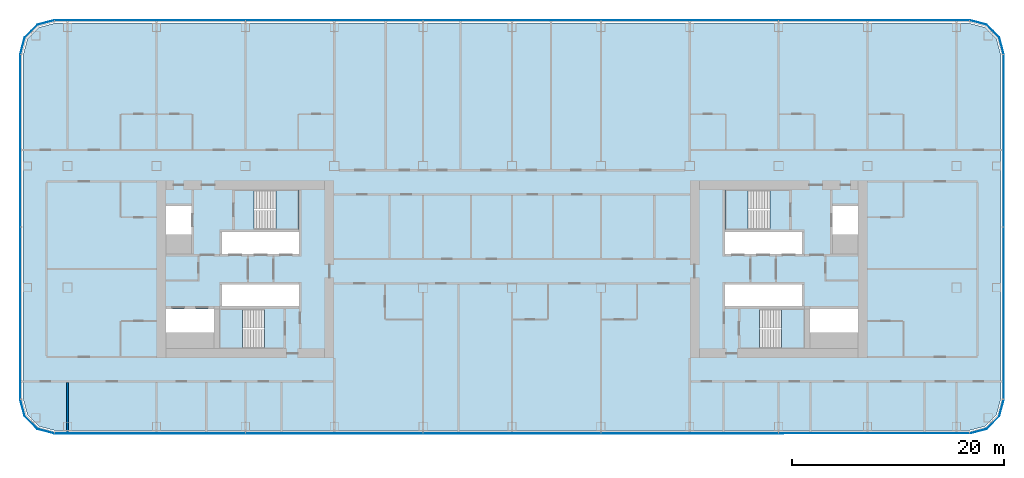
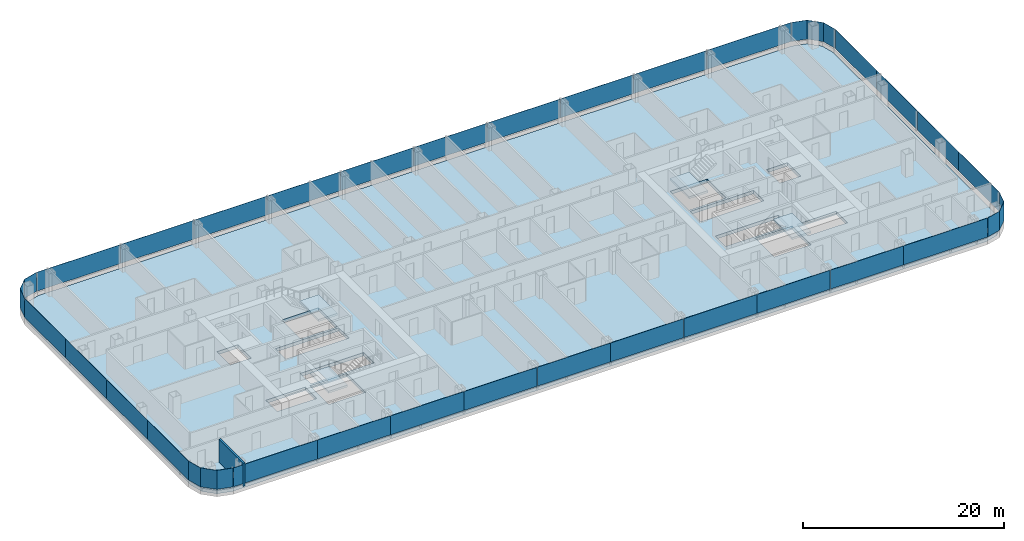
# One storey, part 14 of 29: 32 plates, 5 slabs, 1 wall, 12 elements without a shape of their own.
"""IFC4 building model written with IfcOpenShell, lengths in metres."""

import ifcopenshell
import ifcopenshell.guid

model = None  # the IFC model being written
_history = None  # IfcOwnerHistory: only IFC2X3 demands one
_inside = {}  # id of a spatial element -> (the spatial element, [elements in it])
_under = {}  # id of a project, library or spatial element -> (it, [spatial elements below it])
_declared = {}  # id of a project -> (the project, [libraries it declares])
_typed = {}  # id of a type object -> (the type object, [elements of that type])
_made_of = {}  # id of a material, layer set ... -> (it, [elements and type objects made of it])


def new_model(schema):
    """Start an empty IFC model of exactly this schema.

    Asked for "IFC4X3", IfcOpenShell would pick the latest addendum, in which some entities
    have other attributes; the version numbers below select the first issue.
    IFC2X3 requires an IfcOwnerHistory on every rooted entity: one is made here for all.
    """
    global model, _history
    if schema == "IFC4X3":
        model = ifcopenshell.file(schema_version=(4, 3, 0, 0))
    else:
        model = ifcopenshell.file(schema=schema)
    _inside.clear()
    _under.clear()
    _declared.clear()
    _typed.clear()
    _made_of.clear()
    _history = None
    if model.schema == "IFC2X3":
        org = make("IfcOrganization", Name="unknown")
        user = make(
            "IfcPersonAndOrganization",
            ThePerson=make("IfcPerson", FamilyName="unknown"),
            TheOrganization=org,
        )
        app = make(
            "IfcApplication",
            ApplicationDeveloper=org,
            Version="unknown",
            ApplicationFullName="unknown",
            ApplicationIdentifier="unknown",
        )
        _history = make(
            "IfcOwnerHistory",
            OwningUser=user,
            OwningApplication=app,
            ChangeAction="ADDED",
            CreationDate=0,
        )
    return model


def make(cls, **values):
    """One entity of the class cls with the attributes given. An attribute that is None is left unset."""
    return model.create_entity(
        cls, **{name: value for name, value in values.items() if value is not None}
    )


def rooted(cls, **values):
    """An entity with a GlobalId (a new one), such as an element, a storey or a relation."""
    return make(cls, GlobalId=ifcopenshell.guid.new(), OwnerHistory=_history, **values)


def si_unit(unit_type, name, prefix=None):
    """IfcSIUnit, for example si_unit("LENGTHUNIT", "METRE", prefix="MILLI")."""
    return make("IfcSIUnit", UnitType=unit_type, Prefix=prefix, Name=name)


def assignment(units):
    """IfcUnitAssignment: the units of a project."""
    return None if units is None else make("IfcUnitAssignment", Units=units)


def point(xyz):
    """IfcCartesianPoint."""
    return None if xyz is None else make("IfcCartesianPoint", Coordinates=xyz)


def direction(xyz):
    """IfcDirection."""
    return None if xyz is None else make("IfcDirection", DirectionRatios=xyz)


def frame(location, z_axis=None, x_axis=None):
    """IfcAxis2Placement3D, a coordinate frame: its origin and axes. An axis left out is left unset."""
    return make(
        "IfcAxis2Placement3D",
        Location=point(location),
        Axis=direction(z_axis),
        RefDirection=direction(x_axis),
    )


def frame_2d(location, x_axis=None):
    """IfcAxis2Placement2D, a coordinate frame in the plane: its origin and x axis."""
    return make(
        "IfcAxis2Placement2D", Location=point(location), RefDirection=direction(x_axis)
    )


def origin():
    """The frame at (0, 0, 0) with its axes left unset."""
    return frame((0.0, 0.0, 0.0))


def origin_2d():
    """The frame at (0, 0) in the plane with its x axis left unset."""
    return frame_2d((0.0, 0.0))


def place(relative_to, where):
    """IfcLocalPlacement: puts the frame where relative to a parent placement (None: the world)."""
    return make(
        "IfcLocalPlacement", PlacementRelTo=relative_to, RelativePlacement=where
    )


def context(
    kind, dimensions, precision=None, world=None, true_north=None, identifier=None
):
    """IfcGeometricRepresentationContext, for example the 3D "Model" context."""
    return make(
        "IfcGeometricRepresentationContext",
        ContextIdentifier=identifier,
        ContextType=kind,
        CoordinateSpaceDimension=dimensions,
        Precision=precision,
        WorldCoordinateSystem=world,
        TrueNorth=true_north,
    )


def subcontext(parent, identifier, kind, view, scale=None):
    """IfcGeometricRepresentationSubContext, for example "Body" below "Model"."""
    return make(
        "IfcGeometricRepresentationSubContext",
        ContextIdentifier=identifier,
        ContextType=kind,
        ParentContext=parent,
        TargetScale=scale,
        TargetView=view,
    )


def project(units=None, contexts=None):
    """IfcProject with its units and contexts."""
    return rooted(
        "IfcProject",
        Name="project",
        RepresentationContexts=contexts,
        UnitsInContext=assignment(units),
    )


def spatial(cls, under=None, at=None, **own):
    """A site, building, storey or space (cls), placed at a placement, below another one or the project."""
    s = rooted(cls, ObjectPlacement=at, **own)
    if under is not None:
        _under.setdefault(under.id(), (under, []))[1].append(s)
    return s


def polyline(points):
    """IfcPolyline through the points."""
    return make("IfcPolyline", Points=[point(p) for p in points])


def profile(cls, at=None, kind="AREA", **sizes):
    """A parametric profile (cls). Its sizes go by their IFC names, for example OverallWidth=200.0."""
    return make(cls, ProfileType=kind, Position=at, **sizes)


def rectangle(**sizes):
    """IfcRectangleProfileDef."""
    return profile("IfcRectangleProfileDef", **sizes)


def outline(outer, holes=None, kind="AREA"):
    """IfcArbitraryClosedProfileDef: a profile drawn as a closed curve; with holes, ...WithVoids."""
    if holes is None:
        return make("IfcArbitraryClosedProfileDef", ProfileType=kind, OuterCurve=outer)
    return make(
        "IfcArbitraryProfileDefWithVoids",
        ProfileType=kind,
        OuterCurve=outer,
        InnerCurves=holes,
    )


def extrude(swept, where, along, depth):
    """IfcExtrudedAreaSolid: the profile swept, set in the frame where, extruded along a direction by depth."""
    return make(
        "IfcExtrudedAreaSolid",
        SweptArea=swept,
        Position=where,
        ExtrudedDirection=direction(along),
        Depth=depth,
    )


def shape(context_of_items, identifier, shape_type, items):
    """IfcShapeRepresentation: the items that make up one representation, for example the "Body"."""
    return make(
        "IfcShapeRepresentation",
        ContextOfItems=context_of_items,
        RepresentationIdentifier=identifier,
        RepresentationType=shape_type,
        Items=items,
    )


def material(Name=None, Category=None):
    """IfcMaterial."""
    return make("IfcMaterial", Name=Name, Category=Category)


def layer(
    of_material, thickness, ventilated=None, Name=None, Category=None, Priority=None
):
    """IfcMaterialLayer: one layer of a wall or slab, of a material (None: an air gap)."""
    return make(
        "IfcMaterialLayer",
        Material=of_material,
        LayerThickness=thickness,
        IsVentilated=ventilated,
        Name=Name,
        Category=Category,
        Priority=Priority,
    )


def layer_set(layers, Name=None):
    """IfcMaterialLayerSet."""
    return make("IfcMaterialLayerSet", MaterialLayers=layers, LayerSetName=Name)


def made_of(thing, what):
    """Note that an element or type object is made of a material, layer set ...; save() writes the relation."""
    if what is not None:
        _made_of.setdefault(what.id(), (what, []))[1].append(thing)
    return thing


def type_object(cls, material=None, **own):
    """A type object (cls), such as IfcWallType, which elements share."""
    return made_of(rooted(cls, **own), material)


def element(
    cls,
    number,
    at=None,
    inside=None,
    cuts=None,
    type_object=None,
    material=None,
    context=None,
    identifier="Body",
    shape_type=None,
    held_by="IfcProductDefinitionShape",
    body=None,
    shapes=None,
    **own,
):
    """One element of the class cls, such as IfcWall. Its Tag is "e" and its number.

    at: its placement. inside: the storey or other place that contains it. cuts: it is an
    opening in that element (IfcRelVoidsElement). A single representation is given by context,
    identifier, shape_type and body (its items); several are given by shapes. held_by: the class
    of the entity that holds the representations. save() writes the other relations.
    """
    e = rooted(cls, Tag="e%d" % number, ObjectPlacement=at, **own)
    if body is not None:
        shapes = [shape(context, identifier, shape_type, body)]
    if shapes is not None:
        e.Representation = make(held_by, Representations=shapes)
    if inside is not None:
        _inside.setdefault(inside.id(), (inside, []))[1].append(e)
    if cuts is not None:
        rooted(
            "IfcRelVoidsElement", RelatingBuildingElement=cuts, RelatedOpeningElement=e
        )
    if type_object is not None:
        _typed.setdefault(type_object.id(), (type_object, []))[1].append(e)
    return made_of(e, material)


def aggregate(whole, parts):
    """IfcRelAggregates: a whole, such as a stair, and the parts it consists of."""
    return rooted("IfcRelAggregates", RelatingObject=whole, RelatedObjects=parts)


def save(model, path):
    """Write the relations noted so far, then the file.

    IfcRelAggregates (storeys below a building ...), IfcRelContainedInSpatialStructure (elements
    in a storey), IfcRelDefinesByType, IfcRelAssociatesMaterial and IfcRelDeclares: one each for
    every whole, place, type object, material and project.
    """
    for whole, parts in _under.values():
        aggregate(whole, parts)
    for where, things in _inside.values():
        rooted(
            "IfcRelContainedInSpatialStructure",
            RelatedElements=things,
            RelatingStructure=where,
        )
    for kind, things in _typed.values():
        rooted("IfcRelDefinesByType", RelatedObjects=things, RelatingType=kind)
    for what, things in _made_of.values():
        rooted("IfcRelAssociatesMaterial", RelatedObjects=things, RelatingMaterial=what)
    for by, libraries in _declared.values():
        rooted("IfcRelDeclares", RelatingContext=by, RelatedDefinitions=libraries)
    model.write(path)


model = new_model("IFC4")

# Units and contexts
model_context = context("Model", 3, precision=1e-05, world=origin(), true_north=direction((0.0, 1.0)))
body_context = subcontext(model_context, "Body", "Model", "MODEL_VIEW")
ifc_project = project(units=[si_unit("LENGTHUNIT", "METRE"), si_unit("AREAUNIT", "SQUARE_METRE"), si_unit("VOLUMEUNIT", "CUBIC_METRE"), si_unit("PLANEANGLEUNIT", "RADIAN"), si_unit("MASSUNIT", "GRAM", prefix="KILO")], contexts=[model_context])

# Site, building, storey
site_placement = place(None, origin())
site = spatial("IfcSite", under=ifc_project, at=site_placement, CompositionType="ELEMENT")
building_placement = place(site_placement, origin())
building = spatial("IfcBuilding", under=site, at=building_placement, Name="Hakoniwa Tower and Hamabe Station Hall", CompositionType="ELEMENT")
storey_placement = place(building_placement, frame((0.0, 0.0, 75.39990234375)))
storey = spatial("IfcBuildingStorey", under=building, at=storey_placement, Name="L20", CompositionType="ELEMENT", Elevation=75.39990234375)

# Stair, slab
ifc_material_1 = material(Name="Concrete C40", Category="concrete")
stair_type = type_object("IfcStairType", Name="ESCAPE STAIR 1800", PredefinedType="HALF_TURN_STAIR", material=ifc_material_1)
stair_1_placement = place(storey_placement, origin())
stair_1 = element("IfcStair", 1, at=stair_1_placement, inside=storey, type_object=stair_type, Name="Escape stair ST-1 L20", PredefinedType="HALF_TURN_STAIR")
ifc_material_2 = material(Name="Concrete C40", Category="concrete")
ifc_layer_1 = layer(ifc_material_2, 0.25)
ifc_layer_set_1 = layer_set([ifc_layer_1], Name="CORE STAIR LANDING 250")
slab_type_1 = type_object("IfcSlabType", Name="CORE STAIR LANDING 250", PredefinedType="LANDING", material=ifc_layer_set_1)
slab_1_placement = place(storey_placement, frame((0.0, 0.0, 1.35009765625)))
slab_1 = element("IfcSlab", 2, at=slab_1_placement, type_object=slab_type_1, Name="ST-1 landing 1", PredefinedType="LANDING", context=body_context, shape_type="SweptSolid", body=[
    extrude(outline(polyline([(-22.320068359375, 3.75), (-20.14990234375, 3.75), (-20.14990234375, 7.5), (-22.320068359375, 7.5), (-22.320068359375, 3.75)])), origin(), (0.0, 0.0, 1.0), 0.25),
])
aggregate(stair_1, [slab_1])

stair_2_placement = place(storey_placement, origin())
stair_2 = element("IfcStair", 3, at=stair_2_placement, inside=storey, type_object=stair_type, Name="Escape stair ST-2 L20", PredefinedType="HALF_TURN_STAIR")
slab_2_placement = place(storey_placement, frame((0.0, 0.0, 1.35009765625)))
slab_2 = element("IfcSlab", 4, at=slab_2_placement, type_object=slab_type_1, Name="ST-2 landing 1", PredefinedType="LANDING", context=body_context, shape_type="SweptSolid", body=[
    extrude(outline(polyline([(-25.47998046875, -7.5), (-27.64990234375, -7.5), (-27.64990234375, -3.75), (-25.47998046875, -3.75), (-25.47998046875, -7.5)])), origin(), (0.0, 0.0, 1.0), 0.25),
])
aggregate(stair_2, [slab_2])

stair_3_placement = place(storey_placement, origin())
stair_3 = element("IfcStair", 5, at=stair_3_placement, inside=storey, type_object=stair_type, Name="Escape stair ST-3 L20", PredefinedType="HALF_TURN_STAIR")
slab_3_placement = place(storey_placement, frame((0.0, 0.0, 1.35009765625)))
slab_3 = element("IfcSlab", 6, at=slab_3_placement, type_object=slab_type_1, Name="ST-3 landing 1", PredefinedType="LANDING", context=body_context, shape_type="SweptSolid", body=[
    extrude(outline(polyline([(22.320068359375, 3.75), (20.14990234375, 3.75), (20.14990234375, 7.5), (22.320068359375, 7.5), (22.320068359375, 3.75)])), origin(), (0.0, 0.0, 1.0), 0.25),
])
aggregate(stair_3, [slab_3])

stair_4_placement = place(storey_placement, origin())
stair_4 = element("IfcStair", 7, at=stair_4_placement, inside=storey, type_object=stair_type, Name="Escape stair ST-4 L20", PredefinedType="HALF_TURN_STAIR")
slab_4_placement = place(storey_placement, frame((0.0, 0.0, 1.35009765625)))
slab_4 = element("IfcSlab", 8, at=slab_4_placement, type_object=slab_type_1, Name="ST-4 landing 1", PredefinedType="LANDING", context=body_context, shape_type="SweptSolid", body=[
    extrude(outline(polyline([(25.47998046875, -7.5), (27.64990234375, -7.5), (27.64990234375, -3.75), (25.47998046875, -3.75), (25.47998046875, -7.5)])), origin(), (0.0, 0.0, 1.0), 0.25),
])
aggregate(stair_4, [slab_4])

# Curtain wall, plates
ifc_material_3 = material(Name="Dark low-e laminated glass", Category="glass")
ifc_layer_2 = layer(ifc_material_3, 0.199951171875)
ifc_layer_set_2 = layer_set([ifc_layer_2], Name="CW-1 UNITISED GUEST")
curtain_wall_type = type_object("IfcCurtainWallType", Name="CW-1 UNITISED GUEST", PredefinedType="NOTDEFINED", material=ifc_layer_set_2)
curtain_wall_1_placement = place(storey_placement, origin())
curtain_wall_1 = element("IfcCurtainWall", 9, at=curtain_wall_1_placement, inside=storey, type_object=curtain_wall_type, Name="CW-1 curtain wall", PredefinedType="NOTDEFINED")
ifc_material_4 = material(Name="Dark low-e laminated glass", Category="glass")
ifc_layer_3 = layer(ifc_material_4, 0.028076171875)
ifc_layer_set_3 = layer_set([ifc_layer_3], Name="CW-1 GLASS UNIT")
plate_type = type_object("IfcPlateType", Name="CW-1 GLASS UNIT", PredefinedType="CURTAIN_PANEL", material=ifc_layer_set_3)
plate_1_placement = place(storey_placement, frame((46.486083984375, -8.217041015625, 0.35009765625), z_axis=(0.0, 0.0, 1.0), x_axis=(0.0, 1.0, 0.0)))
plate_1 = element("IfcPlate", 10, at=plate_1_placement, type_object=plate_type, Name="CW-1 glass unit", PredefinedType="CURTAIN_PANEL", context=body_context, shape_type="SweptSolid", body=[
    extrude(rectangle(XDim=8.124755859375, YDim=0.028076171875, at=origin_2d()), origin(), (0.0, 0.0, 1.0), 2.300048828125),
])
plate_2_placement = place(storey_placement, frame((46.486083984375, -0.072265625, 0.35009765625), z_axis=(0.0, 0.0, 1.0), x_axis=(0.0, 1.0, 0.0)))
plate_2 = element("IfcPlate", 11, at=plate_2_placement, type_object=plate_type, Name="CW-1 glass unit", PredefinedType="CURTAIN_PANEL", context=body_context, shape_type="SweptSolid", body=[
    extrude(rectangle(XDim=8.124755859375, YDim=0.028076171875, at=origin_2d()), origin(), (0.0, 0.0, 1.0), 2.300048828125),
])
plate_3_placement = place(storey_placement, frame((46.486083984375, 8.072265625, 0.35009765625), z_axis=(0.0, 0.0, 1.0), x_axis=(0.0, 1.0, 0.0)))
plate_3 = element("IfcPlate", 12, at=plate_3_placement, type_object=plate_type, Name="CW-1 glass unit", PredefinedType="CURTAIN_PANEL", context=body_context, shape_type="SweptSolid", body=[
    extrude(rectangle(XDim=8.124755859375, YDim=0.028076171875, at=origin_2d()), origin(), (0.0, 0.0, 1.0), 2.300048828125),
])
plate_4_placement = place(storey_placement, frame((46.486083984375, 16.217041015625, 0.35009765625), z_axis=(0.0, 0.0, 1.0), x_axis=(0.0, 1.0, 0.0)))
plate_4 = element("IfcPlate", 13, at=plate_4_placement, type_object=plate_type, Name="CW-1 glass unit", PredefinedType="CURTAIN_PANEL", context=body_context, shape_type="SweptSolid", body=[
    extrude(rectangle(XDim=8.124755859375, YDim=0.028076171875, at=origin_2d()), origin(), (0.0, 0.0, 1.0), 2.300048828125),
])
aggregate(curtain_wall_1, [plate_1, plate_2, plate_3, plate_4])

# Curtain wall, plate
curtain_wall_2_placement = place(storey_placement, origin())
curtain_wall_2 = element("IfcCurtainWall", 14, at=curtain_wall_2_placement, inside=storey, type_object=curtain_wall_type, Name="CW-1 curtain wall", PredefinedType="NOTDEFINED")
plate_5_placement = place(storey_placement, frame((0.0, 0.0, 0.35009765625)))
plate_5 = element("IfcPlate", 15, at=plate_5_placement, type_object=plate_type, Name="CW-1 curved corner unit", PredefinedType="CURTAIN_PANEL", context=body_context, shape_type="SweptSolid", body=[
    extrude(outline(polyline([(46.48974609375, 20.328125), (46.067138671875, 21.9052734375), (44.855224609375, 23.116943359375), (43.278076171875, 23.53955078125), (43.27099609375, 23.5126953125), (44.8408203125, 23.092041015625), (46.0419921875, 21.890869140625), (46.462646484375, 20.32080078125), (46.48974609375, 20.328125)])), origin(), (0.0, 0.0, 1.0), 2.300048828125),
])
aggregate(curtain_wall_2, [plate_5])

# Curtain wall, plates
curtain_wall_3_placement = place(storey_placement, origin())
curtain_wall_3 = element("IfcCurtainWall", 16, at=curtain_wall_3_placement, inside=storey, type_object=curtain_wall_type, Name="CW-1 curtain wall", PredefinedType="NOTDEFINED")
plate_6_placement = place(storey_placement, frame((38.419677734375, 23.535888671875, 0.35009765625), z_axis=(0.0, 0.0, 1.0), x_axis=(-1.0, 0.0, 0.0)))
plate_6 = element("IfcPlate", 17, at=plate_6_placement, type_object=plate_type, Name="CW-1 glass unit", PredefinedType="CURTAIN_PANEL", context=body_context, shape_type="SweptSolid", body=[
    extrude(rectangle(XDim=9.619384765625, YDim=0.028076171875, at=origin_2d()), origin(), (0.0, 0.0, 1.0), 2.300048828125),
])
plate_7_placement = place(storey_placement, frame((29.39990234375, 23.535888671875, 0.35009765625), z_axis=(0.0, 0.0, 1.0), x_axis=(-1.0, 0.0, 0.0)))
plate_7 = element("IfcPlate", 18, at=plate_7_placement, type_object=plate_type, Name="CW-1 glass unit", PredefinedType="CURTAIN_PANEL", context=body_context, shape_type="SweptSolid", body=[
    extrude(rectangle(XDim=8.3798828125, YDim=0.028076171875, at=origin_2d()), origin(), (0.0, 0.0, 1.0), 2.300048828125),
])
plate_8_placement = place(storey_placement, frame((21.0, 23.535888671875, 0.35009765625), z_axis=(0.0, 0.0, 1.0), x_axis=(-1.0, 0.0, 0.0)))
plate_8 = element("IfcPlate", 19, at=plate_8_placement, type_object=plate_type, Name="CW-1 glass unit", PredefinedType="CURTAIN_PANEL", context=body_context, shape_type="SweptSolid", body=[
    extrude(rectangle(XDim=8.3798828125, YDim=0.028076171875, at=origin_2d()), origin(), (0.0, 0.0, 1.0), 2.300048828125),
])
plate_9_placement = place(storey_placement, frame((12.60009765625, 23.535888671875, 0.35009765625), z_axis=(0.0, 0.0, 1.0), x_axis=(-1.0, 0.0, 0.0)))
plate_9 = element("IfcPlate", 20, at=plate_9_placement, type_object=plate_type, Name="CW-1 glass unit", PredefinedType="CURTAIN_PANEL", context=body_context, shape_type="SweptSolid", body=[
    extrude(rectangle(XDim=8.3798828125, YDim=0.028076171875, at=origin_2d()), origin(), (0.0, 0.0, 1.0), 2.300048828125),
])
plate_10_placement = place(storey_placement, frame((4.199951171875, 23.535888671875, 0.35009765625), z_axis=(0.0, 0.0, 1.0), x_axis=(-1.0, 0.0, 0.0)))
plate_10 = element("IfcPlate", 21, at=plate_10_placement, type_object=plate_type, Name="CW-1 glass unit", PredefinedType="CURTAIN_PANEL", context=body_context, shape_type="SweptSolid", body=[
    extrude(rectangle(XDim=8.3798828125, YDim=0.028076171875, at=origin_2d()), origin(), (0.0, 0.0, 1.0), 2.300048828125),
])
plate_11_placement = place(storey_placement, frame((-4.199951171875, 23.535888671875, 0.35009765625), z_axis=(0.0, 0.0, 1.0), x_axis=(-1.0, 0.0, 0.0)))
plate_11 = element("IfcPlate", 22, at=plate_11_placement, type_object=plate_type, Name="CW-1 glass unit", PredefinedType="CURTAIN_PANEL", context=body_context, shape_type="SweptSolid", body=[
    extrude(rectangle(XDim=8.3798828125, YDim=0.028076171875, at=origin_2d()), origin(), (0.0, 0.0, 1.0), 2.300048828125),
])
plate_12_placement = place(storey_placement, frame((-12.60009765625, 23.535888671875, 0.35009765625), z_axis=(0.0, 0.0, 1.0), x_axis=(-1.0, 0.0, 0.0)))
plate_12 = element("IfcPlate", 23, at=plate_12_placement, type_object=plate_type, Name="CW-1 glass unit", PredefinedType="CURTAIN_PANEL", context=body_context, shape_type="SweptSolid", body=[
    extrude(rectangle(XDim=8.3798828125, YDim=0.028076171875, at=origin_2d()), origin(), (0.0, 0.0, 1.0), 2.300048828125),
])
plate_13_placement = place(storey_placement, frame((-21.0, 23.535888671875, 0.35009765625), z_axis=(0.0, 0.0, 1.0), x_axis=(-1.0, 0.0, 0.0)))
plate_13 = element("IfcPlate", 24, at=plate_13_placement, type_object=plate_type, Name="CW-1 glass unit", PredefinedType="CURTAIN_PANEL", context=body_context, shape_type="SweptSolid", body=[
    extrude(rectangle(XDim=8.3798828125, YDim=0.028076171875, at=origin_2d()), origin(), (0.0, 0.0, 1.0), 2.300048828125),
])
plate_14_placement = place(storey_placement, frame((-29.39990234375, 23.535888671875, 0.35009765625), z_axis=(0.0, 0.0, 1.0), x_axis=(-1.0, 0.0, 0.0)))
plate_14 = element("IfcPlate", 25, at=plate_14_placement, type_object=plate_type, Name="CW-1 glass unit", PredefinedType="CURTAIN_PANEL", context=body_context, shape_type="SweptSolid", body=[
    extrude(rectangle(XDim=8.3798828125, YDim=0.028076171875, at=origin_2d()), origin(), (0.0, 0.0, 1.0), 2.300048828125),
])
plate_15_placement = place(storey_placement, frame((-38.419677734375, 23.535888671875, 0.35009765625), z_axis=(0.0, 0.0, 1.0), x_axis=(-1.0, 0.0, 0.0)))
plate_15 = element("IfcPlate", 26, at=plate_15_placement, type_object=plate_type, Name="CW-1 glass unit", PredefinedType="CURTAIN_PANEL", context=body_context, shape_type="SweptSolid", body=[
    extrude(rectangle(XDim=9.619384765625, YDim=0.028076171875, at=origin_2d()), origin(), (0.0, 0.0, 1.0), 2.300048828125),
])
aggregate(curtain_wall_3, [plate_6, plate_7, plate_8, plate_9, plate_10, plate_11, plate_12, plate_13, plate_14, plate_15])

# Curtain wall, plate
curtain_wall_4_placement = place(storey_placement, origin())
curtain_wall_4 = element("IfcCurtainWall", 27, at=curtain_wall_4_placement, inside=storey, type_object=curtain_wall_type, Name="CW-1 curtain wall", PredefinedType="NOTDEFINED")
plate_16_placement = place(storey_placement, frame((0.0, 0.0, 0.35009765625)))
plate_16 = element("IfcPlate", 28, at=plate_16_placement, type_object=plate_type, Name="CW-1 curved corner unit", PredefinedType="CURTAIN_PANEL", context=body_context, shape_type="SweptSolid", body=[
    extrude(outline(polyline([(-43.278076171875, 23.53955078125), (-44.855224609375, 23.116943359375), (-46.067138671875, 21.9052734375), (-46.48974609375, 20.328125), (-46.462646484375, 20.32080078125), (-46.0419921875, 21.890869140625), (-44.8408203125, 23.092041015625), (-43.27099609375, 23.5126953125), (-43.278076171875, 23.53955078125)])), origin(), (0.0, 0.0, 1.0), 2.300048828125),
])
aggregate(curtain_wall_4, [plate_16])

# Curtain wall, plates
curtain_wall_5_placement = place(storey_placement, origin())
curtain_wall_5 = element("IfcCurtainWall", 29, at=curtain_wall_5_placement, inside=storey, type_object=curtain_wall_type, Name="CW-1 curtain wall", PredefinedType="NOTDEFINED")
plate_17_placement = place(storey_placement, frame((-46.486083984375, 16.217041015625, 0.35009765625), z_axis=(0.0, 0.0, 1.0), x_axis=(0.0, -1.0, 0.0)))
plate_17 = element("IfcPlate", 30, at=plate_17_placement, type_object=plate_type, Name="CW-1 glass unit", PredefinedType="CURTAIN_PANEL", context=body_context, shape_type="SweptSolid", body=[
    extrude(rectangle(XDim=8.124755859375, YDim=0.028076171875, at=origin_2d()), origin(), (0.0, 0.0, 1.0), 2.300048828125),
])
plate_18_placement = place(storey_placement, frame((-46.486083984375, 8.072265625, 0.35009765625), z_axis=(0.0, 0.0, 1.0), x_axis=(0.0, -1.0, 0.0)))
plate_18 = element("IfcPlate", 31, at=plate_18_placement, type_object=plate_type, Name="CW-1 glass unit", PredefinedType="CURTAIN_PANEL", context=body_context, shape_type="SweptSolid", body=[
    extrude(rectangle(XDim=8.124755859375, YDim=0.028076171875, at=origin_2d()), origin(), (0.0, 0.0, 1.0), 2.300048828125),
])
plate_19_placement = place(storey_placement, frame((-46.486083984375, -0.072265625, 0.35009765625), z_axis=(0.0, 0.0, 1.0), x_axis=(0.0, -1.0, 0.0)))
plate_19 = element("IfcPlate", 32, at=plate_19_placement, type_object=plate_type, Name="CW-1 glass unit", PredefinedType="CURTAIN_PANEL", context=body_context, shape_type="SweptSolid", body=[
    extrude(rectangle(XDim=8.124755859375, YDim=0.028076171875, at=origin_2d()), origin(), (0.0, 0.0, 1.0), 2.300048828125),
])
plate_20_placement = place(storey_placement, frame((-46.486083984375, -8.217041015625, 0.35009765625), z_axis=(0.0, 0.0, 1.0), x_axis=(0.0, -1.0, 0.0)))
plate_20 = element("IfcPlate", 33, at=plate_20_placement, type_object=plate_type, Name="CW-1 glass unit", PredefinedType="CURTAIN_PANEL", context=body_context, shape_type="SweptSolid", body=[
    extrude(rectangle(XDim=8.124755859375, YDim=0.028076171875, at=origin_2d()), origin(), (0.0, 0.0, 1.0), 2.300048828125),
])
aggregate(curtain_wall_5, [plate_17, plate_18, plate_19, plate_20])

# Curtain wall, plate
curtain_wall_6_placement = place(storey_placement, origin())
curtain_wall_6 = element("IfcCurtainWall", 34, at=curtain_wall_6_placement, inside=storey, type_object=curtain_wall_type, Name="CW-1 curtain wall", PredefinedType="NOTDEFINED")
plate_21_placement = place(storey_placement, frame((0.0, 0.0, 0.35009765625)))
plate_21 = element("IfcPlate", 35, at=plate_21_placement, type_object=plate_type, Name="CW-1 curved corner unit", PredefinedType="CURTAIN_PANEL", context=body_context, shape_type="SweptSolid", body=[
    extrude(outline(polyline([(-46.48974609375, -12.328125), (-46.067138671875, -13.9052734375), (-44.855224609375, -15.116943359375), (-43.278076171875, -15.53955078125), (-43.27099609375, -15.5126953125), (-44.8408203125, -15.092041015625), (-46.0419921875, -13.890869140625), (-46.462646484375, -12.32080078125), (-46.48974609375, -12.328125)])), origin(), (0.0, 0.0, 1.0), 2.300048828125),
])
aggregate(curtain_wall_6, [plate_21])

# Curtain wall, plates
curtain_wall_7_placement = place(storey_placement, origin())
curtain_wall_7 = element("IfcCurtainWall", 36, at=curtain_wall_7_placement, inside=storey, type_object=curtain_wall_type, Name="CW-1 curtain wall", PredefinedType="NOTDEFINED")
plate_22_placement = place(storey_placement, frame((-38.419677734375, -15.535888671875, 0.35009765625), z_axis=(0.0, 0.0, 1.0), x_axis=(1.0, 0.0, 0.0)))
plate_22 = element("IfcPlate", 37, at=plate_22_placement, type_object=plate_type, Name="CW-1 glass unit", PredefinedType="CURTAIN_PANEL", context=body_context, shape_type="SweptSolid", body=[
    extrude(rectangle(XDim=9.619384765625, YDim=0.028076171875, at=origin_2d()), origin(), (0.0, 0.0, 1.0), 2.300048828125),
])
plate_23_placement = place(storey_placement, frame((-29.39990234375, -15.535888671875, 0.35009765625), z_axis=(0.0, 0.0, 1.0), x_axis=(1.0, 0.0, 0.0)))
plate_23 = element("IfcPlate", 38, at=plate_23_placement, type_object=plate_type, Name="CW-1 glass unit", PredefinedType="CURTAIN_PANEL", context=body_context, shape_type="SweptSolid", body=[
    extrude(rectangle(XDim=8.3798828125, YDim=0.028076171875, at=origin_2d()), origin(), (0.0, 0.0, 1.0), 2.300048828125),
])
plate_24_placement = place(storey_placement, frame((-21.0, -15.535888671875, 0.35009765625), z_axis=(0.0, 0.0, 1.0), x_axis=(1.0, 0.0, 0.0)))
plate_24 = element("IfcPlate", 39, at=plate_24_placement, type_object=plate_type, Name="CW-1 glass unit", PredefinedType="CURTAIN_PANEL", context=body_context, shape_type="SweptSolid", body=[
    extrude(rectangle(XDim=8.3798828125, YDim=0.028076171875, at=origin_2d()), origin(), (0.0, 0.0, 1.0), 2.300048828125),
])
plate_25_placement = place(storey_placement, frame((-12.60009765625, -15.535888671875, 0.35009765625), z_axis=(0.0, 0.0, 1.0), x_axis=(1.0, 0.0, 0.0)))
plate_25 = element("IfcPlate", 40, at=plate_25_placement, type_object=plate_type, Name="CW-1 glass unit", PredefinedType="CURTAIN_PANEL", context=body_context, shape_type="SweptSolid", body=[
    extrude(rectangle(XDim=8.3798828125, YDim=0.028076171875, at=origin_2d()), origin(), (0.0, 0.0, 1.0), 2.300048828125),
])
plate_26_placement = place(storey_placement, frame((-4.199951171875, -15.535888671875, 0.35009765625), z_axis=(0.0, 0.0, 1.0), x_axis=(1.0, 0.0, 0.0)))
plate_26 = element("IfcPlate", 41, at=plate_26_placement, type_object=plate_type, Name="CW-1 glass unit", PredefinedType="CURTAIN_PANEL", context=body_context, shape_type="SweptSolid", body=[
    extrude(rectangle(XDim=8.3798828125, YDim=0.028076171875, at=origin_2d()), origin(), (0.0, 0.0, 1.0), 2.300048828125),
])
plate_27_placement = place(storey_placement, frame((4.199951171875, -15.535888671875, 0.35009765625), z_axis=(0.0, 0.0, 1.0), x_axis=(1.0, 0.0, 0.0)))
plate_27 = element("IfcPlate", 42, at=plate_27_placement, type_object=plate_type, Name="CW-1 glass unit", PredefinedType="CURTAIN_PANEL", context=body_context, shape_type="SweptSolid", body=[
    extrude(rectangle(XDim=8.3798828125, YDim=0.028076171875, at=origin_2d()), origin(), (0.0, 0.0, 1.0), 2.300048828125),
])
plate_28_placement = place(storey_placement, frame((12.60009765625, -15.535888671875, 0.35009765625), z_axis=(0.0, 0.0, 1.0), x_axis=(1.0, 0.0, 0.0)))
plate_28 = element("IfcPlate", 43, at=plate_28_placement, type_object=plate_type, Name="CW-1 glass unit", PredefinedType="CURTAIN_PANEL", context=body_context, shape_type="SweptSolid", body=[
    extrude(rectangle(XDim=8.3798828125, YDim=0.028076171875, at=origin_2d()), origin(), (0.0, 0.0, 1.0), 2.300048828125),
])
plate_29_placement = place(storey_placement, frame((21.0, -15.535888671875, 0.35009765625), z_axis=(0.0, 0.0, 1.0), x_axis=(1.0, 0.0, 0.0)))
plate_29 = element("IfcPlate", 44, at=plate_29_placement, type_object=plate_type, Name="CW-1 glass unit", PredefinedType="CURTAIN_PANEL", context=body_context, shape_type="SweptSolid", body=[
    extrude(rectangle(XDim=8.3798828125, YDim=0.028076171875, at=origin_2d()), origin(), (0.0, 0.0, 1.0), 2.300048828125),
])
plate_30_placement = place(storey_placement, frame((29.39990234375, -15.535888671875, 0.35009765625), z_axis=(0.0, 0.0, 1.0), x_axis=(1.0, 0.0, 0.0)))
plate_30 = element("IfcPlate", 45, at=plate_30_placement, type_object=plate_type, Name="CW-1 glass unit", PredefinedType="CURTAIN_PANEL", context=body_context, shape_type="SweptSolid", body=[
    extrude(rectangle(XDim=8.3798828125, YDim=0.028076171875, at=origin_2d()), origin(), (0.0, 0.0, 1.0), 2.300048828125),
])
plate_31_placement = place(storey_placement, frame((38.419677734375, -15.535888671875, 0.35009765625), z_axis=(0.0, 0.0, 1.0), x_axis=(1.0, 0.0, 0.0)))
plate_31 = element("IfcPlate", 46, at=plate_31_placement, type_object=plate_type, Name="CW-1 glass unit", PredefinedType="CURTAIN_PANEL", context=body_context, shape_type="SweptSolid", body=[
    extrude(rectangle(XDim=9.619384765625, YDim=0.028076171875, at=origin_2d()), origin(), (0.0, 0.0, 1.0), 2.300048828125),
])
aggregate(curtain_wall_7, [plate_22, plate_23, plate_24, plate_25, plate_26, plate_27, plate_28, plate_29, plate_30, plate_31])

# Curtain wall, plate
curtain_wall_8_placement = place(storey_placement, origin())
curtain_wall_8 = element("IfcCurtainWall", 47, at=curtain_wall_8_placement, inside=storey, type_object=curtain_wall_type, Name="CW-1 curtain wall", PredefinedType="NOTDEFINED")
plate_32_placement = place(storey_placement, frame((0.0, 0.0, 0.35009765625)))
plate_32 = element("IfcPlate", 48, at=plate_32_placement, type_object=plate_type, Name="CW-1 curved corner unit", PredefinedType="CURTAIN_PANEL", context=body_context, shape_type="SweptSolid", body=[
    extrude(outline(polyline([(43.278076171875, -15.53955078125), (44.855224609375, -15.116943359375), (46.067138671875, -13.9052734375), (46.48974609375, -12.328125), (46.462646484375, -12.32080078125), (46.0419921875, -13.890869140625), (44.8408203125, -15.092041015625), (43.27099609375, -15.5126953125), (43.278076171875, -15.53955078125)])), origin(), (0.0, 0.0, 1.0), 2.300048828125),
])
aggregate(curtain_wall_8, [plate_32])

# Slab
ifc_material_5 = material(Name="Concrete C42", Category="concrete")
ifc_layer_4 = layer(ifc_material_5, 0.39990234375)
ifc_layer_set_4 = layer_set([ifc_layer_4], Name="PT FLAT PLATE 400")
slab_type_2 = type_object("IfcSlabType", Name="PT FLAT PLATE 400", PredefinedType="FLOOR", material=ifc_layer_set_4)
slab_5_placement = place(storey_placement, frame((0.0, 0.0, -0.39990234375)))
element("IfcSlab", 49, at=slab_5_placement, inside=storey, type_object=slab_type_2, Name="Floor slab L20", PredefinedType="FLOOR", context=body_context, shape_type="SweptSolid", body=[
    extrude(outline(polyline([(46.199951171875, -12.25), (46.199951171875, 20.25), (45.798095703125, 21.75), (44.699951171875, 22.84814453125), (43.199951171875, 23.25), (-43.199951171875, 23.25), (-44.699951171875, 22.84814453125), (-45.798095703125, 21.75), (-46.199951171875, 20.25), (-46.199951171875, -12.25), (-45.798095703125, -13.75), (-44.699951171875, -14.84814453125), (-43.199951171875, -15.25), (43.199951171875, -15.25), (44.699951171875, -14.84814453125), (45.798095703125, -13.75), (46.199951171875, -12.25)]), holes=[polyline([(-27.39990234375, 1.449951171875), (-27.39990234375, 3.5), (-20.14990234375, 3.5), (-20.14990234375, 1.449951171875), (-27.39990234375, 1.449951171875)]), polyline([(-27.39990234375, -3.5), (-27.39990234375, -1.449951171875), (-20.14990234375, -1.449951171875), (-20.14990234375, -3.5), (-27.39990234375, -3.5)]), polyline([(-32.699951171875, 3.300048828125), (-32.699951171875, 5.949951171875), (-30.300048828125, 5.949951171875), (-30.300048828125, 3.300048828125), (-32.699951171875, 3.300048828125)]), polyline([(-32.699951171875, -6.0), (-32.699951171875, -3.75), (-28.14990234375, -3.75), (-28.14990234375, -6.0), (-32.699951171875, -6.0)]), polyline([(-24.389892578125, 3.75), (-24.389892578125, 7.5), (-20.14990234375, 7.5), (-20.14990234375, 3.75), (-24.389892578125, 3.75)]), polyline([(-27.64990234375, -7.5), (-27.64990234375, -3.75), (-23.409912109375, -3.75), (-23.409912109375, -7.5), (-27.64990234375, -7.5)]), polyline([(20.14990234375, 1.449951171875), (20.14990234375, 3.5), (27.39990234375, 3.5), (27.39990234375, 1.449951171875), (20.14990234375, 1.449951171875)]), polyline([(20.14990234375, -3.5), (20.14990234375, -1.449951171875), (27.39990234375, -1.449951171875), (27.39990234375, -3.5), (20.14990234375, -3.5)]), polyline([(30.300048828125, 3.300048828125), (30.300048828125, 5.949951171875), (32.699951171875, 5.949951171875), (32.699951171875, 3.300048828125), (30.300048828125, 3.300048828125)]), polyline([(28.14990234375, -6.0), (28.14990234375, -3.75), (32.699951171875, -3.75), (32.699951171875, -6.0), (28.14990234375, -6.0)]), polyline([(20.14990234375, 3.75), (20.14990234375, 7.5), (24.389892578125, 7.5), (24.389892578125, 3.75), (20.14990234375, 3.75)]), polyline([(23.409912109375, -7.5), (23.409912109375, -3.75), (27.64990234375, -3.75), (27.64990234375, -7.5), (23.409912109375, -7.5)])]), origin(), (0.0, 0.0, 1.0), 0.39990234375),
])

# Wall
ifc_material_6 = material(Name="Fire-rated gypsum board partition", Category="gypsum")
ifc_layer_5 = layer(ifc_material_6, 0.199951171875)
ifc_layer_set_5 = layer_set([ifc_layer_5], Name="Party Wall 200")
wall_type = type_object("IfcWallType", Name="Party Wall 200", PredefinedType="PARTITIONING", material=ifc_layer_set_5)
wall_placement = place(storey_placement, frame((-42.0, -15.550048828125, 0.0), z_axis=(0.0, 0.0, 1.0), x_axis=(0.0, 1.0, 0.0)))
element("IfcWall", 50, at=wall_placement, inside=storey, type_object=wall_type, Name="GW-L20-028", PredefinedType="PARTITIONING", context=body_context, shape_type="SweptSolid", body=[
    extrude(rectangle(XDim=4.85009765625, YDim=0.199951171875, at=frame_2d((2.425048828125, 0.0))), origin(), (0.0, 0.0, 1.0), 2.800048828125),
])

save(model, "model.ifc")
